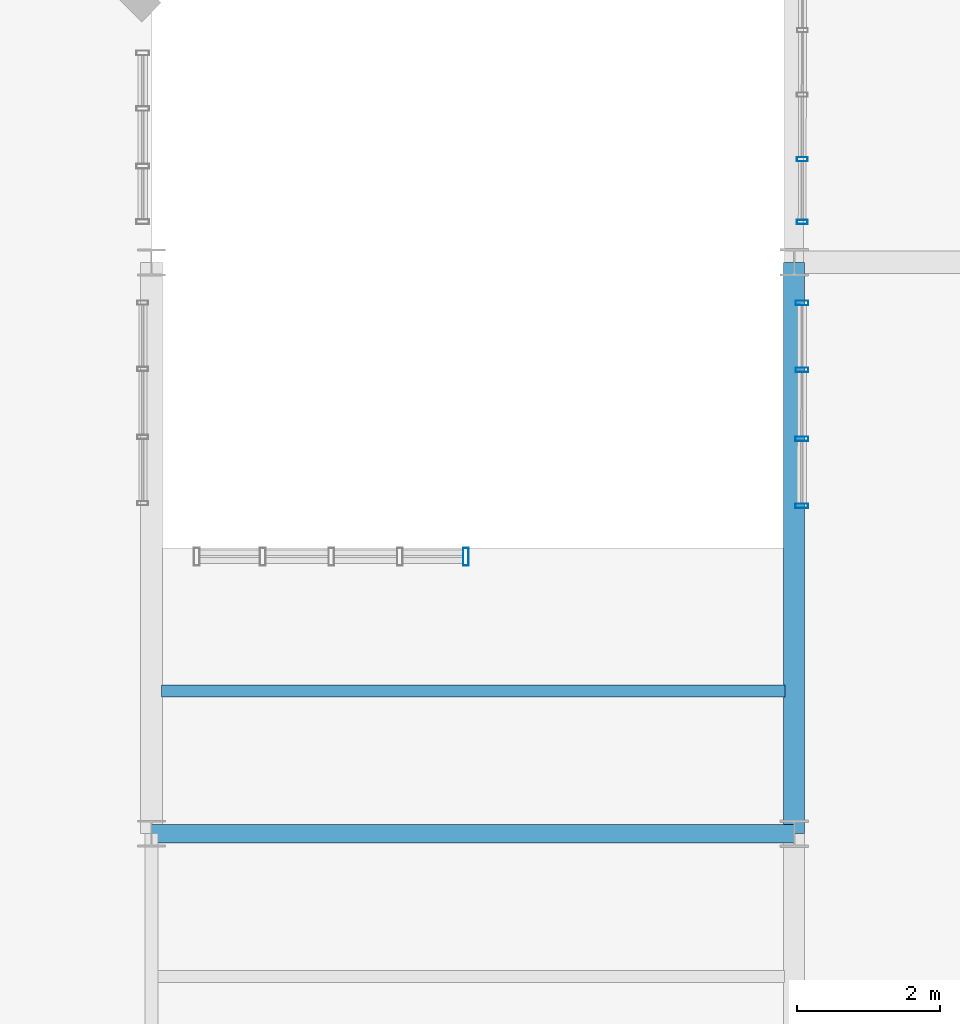
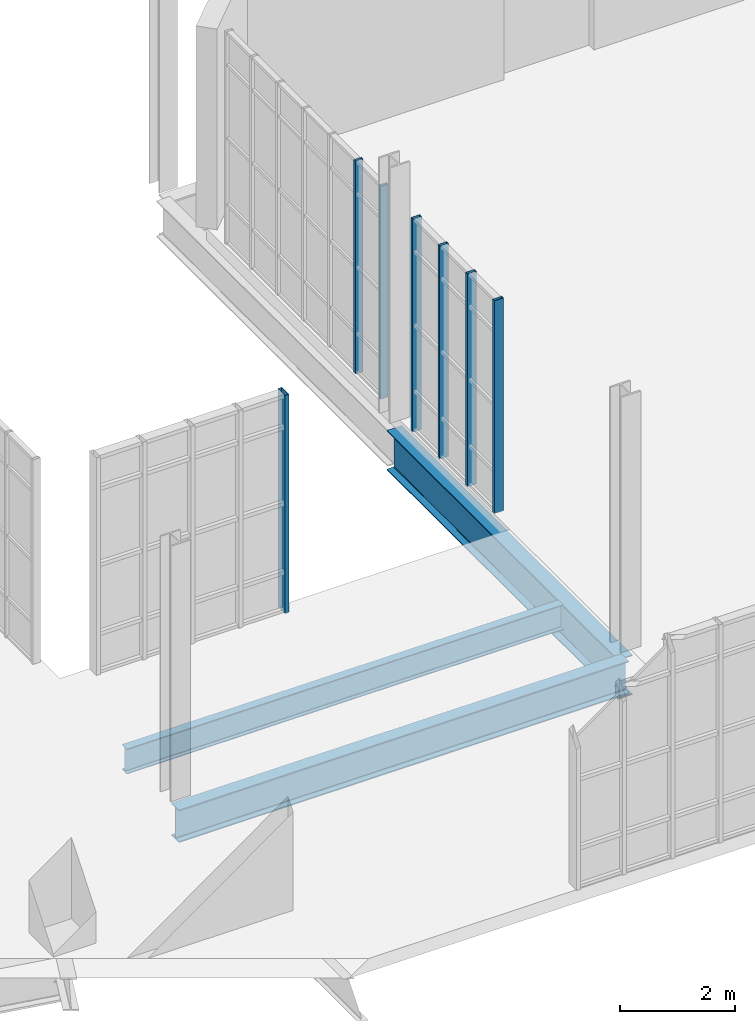
# One storey, part 88 of 189: 7 members, 3 beams, 3 elements without a shape of their own.
"""IFC4 building model written with IfcOpenShell, lengths in metres."""

from ifc_helpers import new_model, si_unit, direction, frame, origin, origin_2d, place, context, subcontext, project, spatial, hollow_rectangle, i_section, extrude, material, layer, layer_set, material_profile, profile_set, type_object, element, aggregate, save


model = new_model("IFC4")

# Units and contexts
model_context = context("Model", 3, precision=1e-05, world=origin(), true_north=direction((0.0, 1.0)))
body_context = subcontext(model_context, "Body", "Model", "MODEL_VIEW")
ifc_project = project(units=[si_unit("LENGTHUNIT", "METRE"), si_unit("AREAUNIT", "SQUARE_METRE"), si_unit("VOLUMEUNIT", "CUBIC_METRE"), si_unit("PLANEANGLEUNIT", "RADIAN"), si_unit("MASSUNIT", "GRAM", prefix="KILO"), si_unit("THERMODYNAMICTEMPERATUREUNIT", "KELVIN"), si_unit("POWERUNIT", "WATT")], contexts=[model_context])

# Site, building, storey
site_placement = place(None, origin())
site = spatial("IfcSite", under=ifc_project, at=site_placement, CompositionType="ELEMENT")
building_placement = place(site_placement, origin())
building = spatial("IfcBuilding", under=site, at=building_placement, Name="Zelmaris Science Centre", CompositionType="ELEMENT")
storey_placement = place(building_placement, origin())
storey = spatial("IfcBuildingStorey", under=building, at=storey_placement, Name="L00", CompositionType="ELEMENT", Elevation=0.0)

# Curtain wall, members
ifc_material_1 = material(Name="Anodised architectural aluminium 6063-T6", Category="aluminium")
ifc_layer_1 = layer(ifc_material_1, 0.219970703125, Name="Anodised architectural aluminium 6063-T6")
ifc_layer_set_1 = layer_set([ifc_layer_1], Name="Anodised architectural aluminium 6063-T6")
curtain_wall_type_1 = type_object("IfcCurtainWallType", Name="Curtain Wall CW-04", PredefinedType="USERDEFINED", material=ifc_layer_set_1)
curtain_wall_1_placement = place(storey_placement, origin())
curtain_wall_1 = element("IfcCurtainWall", 1, at=curtain_wall_1_placement, inside=storey, type_object=curtain_wall_type_1, Name="L00 Unitised curtain wall 28", ObjectType="GLAZED CURTAIN WALL", PredefinedType="USERDEFINED")
ifc_material_profile_1 = material_profile(ifc_material_1, hollow_rectangle(XDim=0.06005859375, YDim=0.14990234375, WallThickness=0.00341796875, at=origin_2d()), Name="ALU-MUL-60X150")
ifc_profile_set_1 = profile_set([ifc_material_profile_1], Name="Anodised architectural aluminium 6063-T6")
member_type_1 = type_object("IfcMemberType", Name="ALU-MUL-60X150", PredefinedType="MULLION", material=ifc_profile_set_1)
member_1_placement = place(storey_placement, frame((54.1123046875, 80.56591796875, -0.014892578125), z_axis=(0.0, 0.0, 1.0), x_axis=(0.001307251237, 0.999999145547, 0.0)))
member_1 = element("IfcMember", 2, at=member_1_placement, type_object=member_type_1, Name="CW-04 mullion 1", PredefinedType="MULLION", context=body_context, shape_type="SweptSolid", body=[
    extrude(hollow_rectangle(XDim=0.06005859375, YDim=0.14990234375, WallThickness=0.00341796875, at=origin_2d()), origin(), (0.0, 0.0, 1.0), 4.5009765625),
])
member_2_placement = place(storey_placement, frame((54.113525390625, 81.443115234375, -0.014892578125), z_axis=(0.0, 0.0, 1.0), x_axis=(0.001307251237, 0.999999145547, 0.0)))
member_2 = element("IfcMember", 3, at=member_2_placement, type_object=member_type_1, Name="CW-04 mullion 2", PredefinedType="MULLION", context=body_context, shape_type="SweptSolid", body=[
    extrude(hollow_rectangle(XDim=0.06005859375, YDim=0.14990234375, WallThickness=0.00341796875, at=origin_2d()), origin(), (0.0, 0.0, 1.0), 4.5009765625),
])
aggregate(curtain_wall_1, [member_1, member_2])

ifc_layer_2 = layer(ifc_material_1, 0.2099609375, Name="Anodised architectural aluminium 6063-T6")
ifc_layer_set_2 = layer_set([ifc_layer_2], Name="Anodised architectural aluminium 6063-T6")
curtain_wall_type_2 = type_object("IfcCurtainWallType", Name="Curtain Wall CW-03", PredefinedType="USERDEFINED", material=ifc_layer_set_2)
curtain_wall_2_placement = place(storey_placement, origin())
curtain_wall_2 = element("IfcCurtainWall", 4, at=curtain_wall_2_placement, inside=storey, type_object=curtain_wall_type_2, Name="L00 Unitised curtain wall 27", ObjectType="GLAZED CURTAIN WALL", PredefinedType="USERDEFINED")
ifc_material_profile_2 = material_profile(ifc_material_1, hollow_rectangle(XDim=0.06494140625, YDim=0.179931640625, WallThickness=0.00390625, at=origin_2d()), Name="ALU-MUL-65X180")
ifc_profile_set_2 = profile_set([ifc_material_profile_2], Name="Anodised architectural aluminium 6063-T6")
member_type_2 = type_object("IfcMemberType", Name="ALU-MUL-65X180", PredefinedType="MULLION", material=ifc_profile_set_2)
member_3_placement = place(storey_placement, frame((54.107177734375, 76.590087890625, -0.014892578125), z_axis=(0.0, 0.0, 1.0), x_axis=(0.001307251237, 0.999999145547, 0.0)))
member_3 = element("IfcMember", 5, at=member_3_placement, type_object=member_type_2, Name="CW-03 mullion 1", PredefinedType="MULLION", context=body_context, shape_type="SweptSolid", body=[
    extrude(hollow_rectangle(XDim=0.06494140625, YDim=0.179931640625, WallThickness=0.00390625, at=origin_2d()), origin(), (0.0, 0.0, 1.0), 4.5009765625),
])
member_4_placement = place(storey_placement, frame((54.1083984375, 77.52783203125, -0.014892578125), z_axis=(0.0, 0.0, 1.0), x_axis=(0.001307251237, 0.999999145547, 0.0)))
member_4 = element("IfcMember", 6, at=member_4_placement, type_object=member_type_2, Name="CW-03 mullion 2", PredefinedType="MULLION", context=body_context, shape_type="SweptSolid", body=[
    extrude(hollow_rectangle(XDim=0.06494140625, YDim=0.179931640625, WallThickness=0.00390625, at=origin_2d()), origin(), (0.0, 0.0, 1.0), 4.5009765625),
])
member_5_placement = place(storey_placement, frame((54.109619140625, 78.49365234375, -0.014892578125), z_axis=(0.0, 0.0, 1.0), x_axis=(0.001307251237, 0.999999145547, 0.0)))
member_5 = element("IfcMember", 7, at=member_5_placement, type_object=member_type_2, Name="CW-03 mullion 3", PredefinedType="MULLION", context=body_context, shape_type="SweptSolid", body=[
    extrude(hollow_rectangle(XDim=0.06494140625, YDim=0.179931640625, WallThickness=0.00390625, at=origin_2d()), origin(), (0.0, 0.0, 1.0), 4.5009765625),
])
member_6_placement = place(storey_placement, frame((54.11083984375, 79.431396484375, -0.014892578125), z_axis=(0.0, 0.0, 1.0), x_axis=(0.001307251237, 0.999999145547, 0.0)))
member_6 = element("IfcMember", 8, at=member_6_placement, type_object=member_type_2, Name="CW-03 mullion 4", PredefinedType="MULLION", context=body_context, shape_type="SweptSolid", body=[
    extrude(hollow_rectangle(XDim=0.06494140625, YDim=0.179931640625, WallThickness=0.00390625, at=origin_2d()), origin(), (0.0, 0.0, 1.0), 4.5009765625),
])
aggregate(curtain_wall_2, [member_3, member_4, member_5, member_6])

# Curtain wall, member
ifc_layer_3 = layer(ifc_material_1, 0.18994140625, Name="Anodised architectural aluminium 6063-T6")
ifc_layer_set_3 = layer_set([ifc_layer_3], Name="Anodised architectural aluminium 6063-T6")
curtain_wall_type_3 = type_object("IfcCurtainWallType", Name="Curtain Wall CW-01", PredefinedType="USERDEFINED", material=ifc_layer_set_3)
curtain_wall_3_placement = place(storey_placement, origin())
curtain_wall_3 = element("IfcCurtainWall", 9, at=curtain_wall_3_placement, inside=storey, type_object=curtain_wall_type_3, Name="L00 Unitised curtain wall 25", ObjectType="GLAZED CURTAIN WALL", PredefinedType="USERDEFINED")
ifc_material_profile_3 = material_profile(ifc_material_1, hollow_rectangle(XDim=0.080078125, YDim=0.25, WallThickness=0.0048828125, at=origin_2d()), Name="ALU-MUL-80X250")
ifc_profile_set_3 = profile_set([ifc_material_profile_3], Name="Anodised architectural aluminium 6063-T6")
member_type_3 = type_object("IfcMemberType", Name="ALU-MUL-80X250", PredefinedType="MULLION", material=ifc_profile_set_3)
member_7_placement = place(storey_placement, frame((49.404052734375, 75.8798828125, -0.014892578125), z_axis=(0.0, 0.0, 1.0), x_axis=(1.0, 0.0, 0.0)))
member_7 = element("IfcMember", 10, at=member_7_placement, type_object=member_type_3, Name="CW-01 mullion 5", PredefinedType="MULLION", context=body_context, shape_type="SweptSolid", body=[
    extrude(hollow_rectangle(XDim=0.080078125, YDim=0.25, WallThickness=0.0048828125, at=origin_2d()), origin(), (0.0, 0.0, 1.0), 4.614990234375),
])
aggregate(curtain_wall_3, [member_7])

# Beams
ifc_material_2 = material(Name="Steel ASTM A992 Grade 50", Category="steel")
ifc_material_profile_4 = material_profile(ifc_material_2, i_section(OverallWidth=0.2919921875, OverallDepth=0.841064453125, WebThickness=0.0146484375, FlangeThickness=0.021728515625, FilletRadius=0.02001953125, at=origin_2d()), Name="W33X130")
ifc_profile_set_4 = profile_set([ifc_material_profile_4], Name="Steel ASTM A992 Grade 50")
beam_type_1 = type_object("IfcBeamType", Name="Beam G-07 W33X130", PredefinedType="BEAM", material=ifc_profile_set_4)
beam_1_placement = place(storey_placement, frame((54.0, 72.0, -0.700439453125), z_axis=(0.0, 1.0, 0.0), x_axis=(-1.0, 0.0, 0.0)))
element("IfcBeam", 11, at=beam_1_placement, inside=storey, type_object=beam_type_1, Name="L00 North-south girder 34", PredefinedType="BEAM", context=body_context, shape_type="SweptSolid", body=[
    extrude(i_section(OverallWidth=0.2919921875, OverallDepth=0.841064453125, WebThickness=0.0146484375, FlangeThickness=0.021728515625, FilletRadius=0.02001953125, at=origin_2d()), origin(), (0.0, 0.0, 1.0), 8.0),
])
ifc_material_profile_5 = material_profile(ifc_material_2, i_section(OverallWidth=0.257080078125, OverallDepth=0.693115234375, WebThickness=0.014404296875, FlangeThickness=0.023681640625, FilletRadius=0.01806640625, at=origin_2d()), Name="W27X114")
ifc_profile_set_5 = profile_set([ifc_material_profile_5], Name="Steel ASTM A992 Grade 50")
beam_type_2 = type_object("IfcBeamType", Name="Beam G-12 W27X114", PredefinedType="BEAM", material=ifc_profile_set_5)
beam_2_placement = place(storey_placement, frame((45.0, 72.0, -0.62646484375), z_axis=(1.0, 0.0, 0.0), x_axis=(0.0, 1.0, 0.0)))
element("IfcBeam", 12, at=beam_2_placement, inside=storey, type_object=beam_type_2, Name="L00 East-west girder 161", PredefinedType="BEAM", context=body_context, shape_type="SweptSolid", body=[
    extrude(i_section(OverallWidth=0.257080078125, OverallDepth=0.693115234375, WebThickness=0.014404296875, FlangeThickness=0.023681640625, FilletRadius=0.01806640625, at=origin_2d()), origin(), (0.0, 0.0, 1.0), 9.0),
])
ifc_material_profile_6 = material_profile(ifc_material_2, i_section(OverallWidth=0.16796875, OverallDepth=0.532958984375, WebThickness=0.01025390625, FlangeThickness=0.0166015625, FilletRadius=0.013916015625, at=origin_2d()), Name="W21X57")
ifc_profile_set_6 = profile_set([ifc_material_profile_6], Name="Steel ASTM A992 Grade 50")
beam_type_3 = type_object("IfcBeamType", Name="Beam J-01 W21X57", PredefinedType="JOIST", material=ifc_profile_set_6)
beam_3_placement = place(storey_placement, frame((45.14111328125, 74.0, -0.54638671875), z_axis=(1.0, 0.0, 0.0), x_axis=(0.0, 1.0, 0.0)))
element("IfcBeam", 13, at=beam_3_placement, inside=storey, type_object=beam_type_3, Name="L00 Composite floor joist 45", PredefinedType="JOIST", context=body_context, shape_type="SweptSolid", body=[
    extrude(i_section(OverallWidth=0.16796875, OverallDepth=0.532958984375, WebThickness=0.01025390625, FlangeThickness=0.0166015625, FilletRadius=0.013916015625, at=origin_2d()), origin(), (0.0, 0.0, 1.0), 8.727783203125),
])

save(model, "model.ifc")
